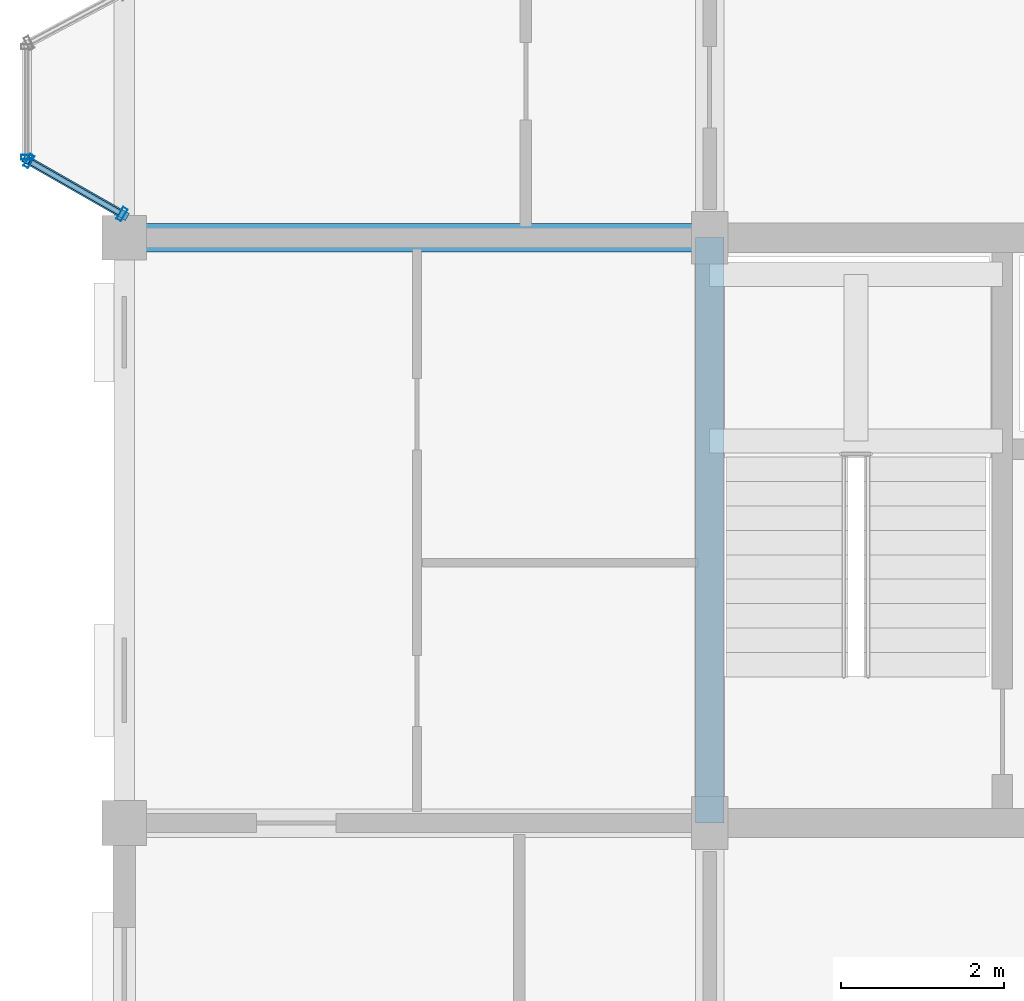
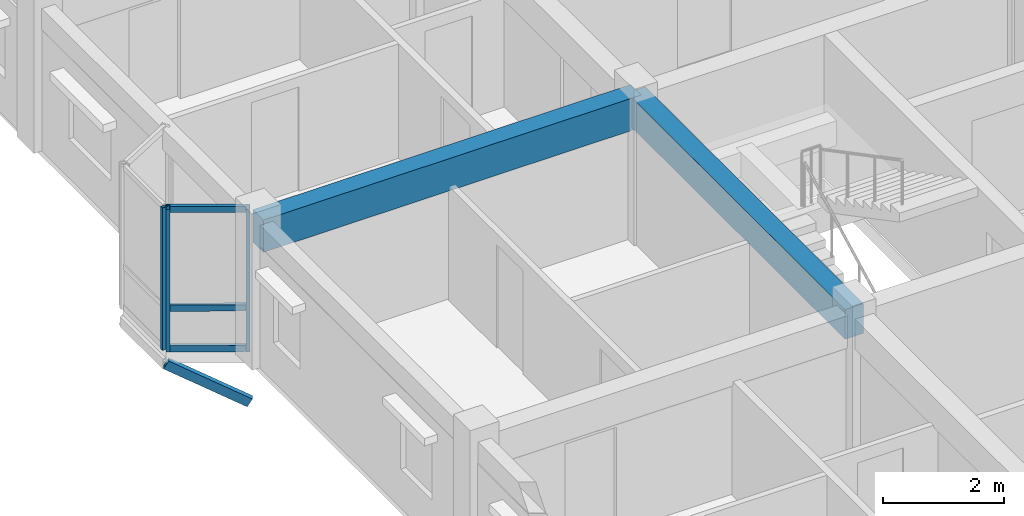
# One storey, part 4 of 79: 7 members, 2 beams, 2 elements without a shape of their own.
"""IFC4 building model written with IfcOpenShell, lengths in metres."""

from ifc_helpers import new_model, si_unit, direction, frame, origin, origin_2d, place, context, subcontext, project, spatial, rectangle, hollow_rectangle, extrude, material, layer, layer_set, material_profile, profile_set, type_object, element, aggregate, save


model = new_model("IFC4")

# Units and contexts
model_context = context("Model", 3, precision=1e-05, world=origin(), true_north=direction((0.0, 1.0)))
body_context = subcontext(model_context, "Body", "Model", "MODEL_VIEW")
ifc_project = project(units=[si_unit("LENGTHUNIT", "METRE"), si_unit("AREAUNIT", "SQUARE_METRE"), si_unit("VOLUMEUNIT", "CUBIC_METRE"), si_unit("PLANEANGLEUNIT", "RADIAN"), si_unit("MASSUNIT", "GRAM", prefix="KILO"), si_unit("THERMODYNAMICTEMPERATUREUNIT", "KELVIN"), si_unit("POWERUNIT", "WATT")], contexts=[model_context])

# Site, building, storey
site_placement = place(None, origin())
site = spatial("IfcSite", under=ifc_project, at=site_placement, CompositionType="ELEMENT")
building_placement = place(site_placement, origin())
building = spatial("IfcBuilding", under=site, at=building_placement, Name="Tavuni Mirador Residences", CompositionType="ELEMENT")
storey_placement = place(building_placement, frame((0.0, 0.0, 13.949951171875)))
storey = spatial("IfcBuildingStorey", under=building, at=storey_placement, Name="L04", CompositionType="ELEMENT", Elevation=13.949951171875)

# Beams
ifc_material_1 = material(Name="Precast concrete C40/50", Category="concrete")
ifc_material_profile_1 = material_profile(ifc_material_1, rectangle(XDim=0.35009765625, YDim=0.60009765625, at=origin_2d()), Name="PC 350x600", Category="concrete")
ifc_profile_set_1 = profile_set([ifc_material_profile_1], Name="Precast concrete C40/50")
beam_type_1 = type_object("IfcBeamType", Name="BT-B600", PredefinedType="BEAM", material=ifc_profile_set_1)
beam_1_placement = place(storey_placement, frame((10.800048828125, 14.39990234375, 2.570068359375), z_axis=(0.0, 1.0, 0.0), x_axis=(-1.0, 0.0, 0.0)))
element("IfcBeam", 1, at=beam_1_placement, inside=storey, type_object=beam_type_1, Name="BMY-BLK-A-L04-01-01", PredefinedType="BEAM", context=body_context, shape_type="SweptSolid", body=[
    extrude(rectangle(XDim=0.35009765625, YDim=0.60009765625, at=origin_2d()), origin(), (0.0, 0.0, 1.0), 7.2001953125),
])
ifc_material_profile_2 = material_profile(ifc_material_1, rectangle(XDim=0.35009765625, YDim=0.64990234375, at=origin_2d()), Name="PC 350x650", Category="concrete")
ifc_profile_set_2 = profile_set([ifc_material_profile_2], Name="Precast concrete C40/50")
beam_type_2 = type_object("IfcBeamType", Name="BT-B650", PredefinedType="BEAM", material=ifc_profile_set_2)
beam_2_placement = place(storey_placement, frame((3.60009765625, 21.60009765625, 2.545166015625), z_axis=(1.0, 0.0, 0.0), x_axis=(0.0, 1.0, 0.0)))
element("IfcBeam", 2, at=beam_2_placement, inside=storey, type_object=beam_type_2, Name="BMX-BLK-A-L04-00-02", PredefinedType="BEAM", context=body_context, shape_type="SweptSolid", body=[
    extrude(rectangle(XDim=0.35009765625, YDim=0.64990234375, at=origin_2d()), origin(), (0.0, 0.0, 1.0), 7.199951171875),
])

# Curtain wall, member
ifc_material_2 = material(Name="Anodised aluminium", Category="aluminium")
ifc_layer_1 = layer(ifc_material_2, 0.1650390625, Name="Anodised aluminium", Category="aluminium")
ifc_layer_set_1 = layer_set([ifc_layer_1], Name="Anodised aluminium")
curtain_wall_type_1 = type_object("IfcCurtainWallType", Name="CWT-MIR-A", PredefinedType="NOTDEFINED", material=ifc_layer_set_1)
curtain_wall_1_placement = place(storey_placement, origin())
curtain_wall_1 = element("IfcCurtainWall", 3, at=curtain_wall_1_placement, inside=storey, type_object=curtain_wall_type_1, Name="CW-MIR-A-W2-L04-MF", PredefinedType="NOTDEFINED")
ifc_material_profile_3 = material_profile(ifc_material_2, hollow_rectangle(XDim=0.06005859375, YDim=0.139892578125, WallThickness=0.00390625, at=origin_2d()), Name="ALU 60x140x4.0", Category="aluminium")
ifc_profile_set_3 = profile_set([ifc_material_profile_3], Name="Anodised aluminium")
member_type_1 = type_object("IfcMemberType", Name="CWM-140", PredefinedType="MULLION", material=ifc_profile_set_3)
member_1_placement = place(storey_placement, frame((2.39990234375, 22.590087890625, 0.0), z_axis=(0.0, 0.0, 1.0), x_axis=(0.0, -1.0, 0.0)))
member_1 = element("IfcMember", 4, at=member_1_placement, type_object=member_type_1, Name="CW-01 mullion 2", PredefinedType="MULLION", context=body_context, shape_type="SweptSolid", body=[
    extrude(hollow_rectangle(XDim=0.06005859375, YDim=0.139892578125, WallThickness=0.00390625, at=origin_2d()), origin(), (0.0, 0.0, 1.0), 2.8701171875),
])
aggregate(curtain_wall_1, [member_1])

# Curtain wall, members
ifc_layer_2 = layer(ifc_material_2, 0.14990234375, Name="Anodised aluminium", Category="aluminium")
ifc_layer_set_2 = layer_set([ifc_layer_2], Name="Anodised aluminium")
curtain_wall_type_2 = type_object("IfcCurtainWallType", Name="CWT-MIR-B", PredefinedType="NOTDEFINED", material=ifc_layer_set_2)
curtain_wall_2_placement = place(storey_placement, origin())
curtain_wall_2 = element("IfcCurtainWall", 5, at=curtain_wall_2_placement, inside=storey, type_object=curtain_wall_type_2, Name="CW-MIR-A-W2-L04-M2", PredefinedType="NOTDEFINED")
ifc_material_profile_4 = material_profile(ifc_material_2, hollow_rectangle(XDim=0.06494140625, YDim=0.1650390625, WallThickness=0.00439453125, at=origin_2d()), Name="ALU 65x165x4.5", Category="aluminium")
ifc_profile_set_4 = profile_set([ifc_material_profile_4], Name="Anodised aluminium")
member_type_2 = type_object("IfcMemberType", Name="CWM-165", PredefinedType="MULLION", material=ifc_profile_set_4)
member_2_placement = place(storey_placement, frame((2.42822265625, 22.5439453125, 0.0), z_axis=(0.0, 0.0, 1.0), x_axis=(0.868465738194, -0.495749192217, 0.0)))
member_2 = element("IfcMember", 6, at=member_2_placement, type_object=member_type_2, Name="CW-02 mullion 1", PredefinedType="MULLION", context=body_context, shape_type="SweptSolid", body=[
    extrude(hollow_rectangle(XDim=0.06494140625, YDim=0.1650390625, WallThickness=0.00439453125, at=origin_2d()), origin(), (0.0, 0.0, 1.0), 2.8701171875),
])
member_3_placement = place(storey_placement, frame((3.57177734375, 21.89111328125, 0.0), z_axis=(0.0, 0.0, 1.0), x_axis=(0.868465738194, -0.495749192217, 0.0)))
member_3 = element("IfcMember", 7, at=member_3_placement, type_object=member_type_2, Name="CW-02 mullion 2", PredefinedType="MULLION", context=body_context, shape_type="SweptSolid", body=[
    extrude(hollow_rectangle(XDim=0.06494140625, YDim=0.1650390625, WallThickness=0.00439453125, at=origin_2d()), origin(), (0.0, 0.0, 1.0), 2.8701171875),
])
ifc_material_profile_5 = material_profile(ifc_material_2, hollow_rectangle(XDim=0.06494140625, YDim=0.125, WallThickness=0.00439453125, at=origin_2d()), Name="ALU 65x125x4.5", Category="aluminium")
ifc_profile_set_5 = profile_set([ifc_material_profile_5], Name="Anodised aluminium")
member_type_3 = type_object("IfcMemberType", Name="CWT-125", PredefinedType="USERDEFINED", material=ifc_profile_set_5)
member_4_placement = place(storey_placement, frame((2.45654296875, 22.52783203125, 0.032470703125), z_axis=(0.868411144788, -0.495844818071, 0.0), x_axis=(0.495844818071, 0.868411144788, 0.0)))
member_4 = element("IfcMember", 8, at=member_4_placement, type_object=member_type_3, Name="CW-02 transom 1.1", ObjectType="TRANSOM", PredefinedType="USERDEFINED", context=body_context, shape_type="SweptSolid", body=[
    extrude(hollow_rectangle(XDim=0.06494140625, YDim=0.125, WallThickness=0.00439453125, at=origin_2d()), origin(), (0.0, 0.0, 1.0), 1.251708984375),
])
member_5_placement = place(storey_placement, frame((2.45654296875, 22.52783203125, 0.85009765625), z_axis=(0.868411144788, -0.495844818071, 0.0), x_axis=(0.495844818071, 0.868411144788, 0.0)))
member_5 = element("IfcMember", 9, at=member_5_placement, type_object=member_type_3, Name="CW-02 transom 1.2", ObjectType="TRANSOM", PredefinedType="USERDEFINED", context=body_context, shape_type="SweptSolid", body=[
    extrude(hollow_rectangle(XDim=0.06494140625, YDim=0.125, WallThickness=0.00439453125, at=origin_2d()), origin(), (0.0, 0.0, 1.0), 1.251708984375),
])
member_6_placement = place(storey_placement, frame((2.45654296875, 22.52783203125, 2.837646484375), z_axis=(0.868411144788, -0.495844818071, 0.0), x_axis=(0.495844818071, 0.868411144788, 0.0)))
member_6 = element("IfcMember", 10, at=member_6_placement, type_object=member_type_3, Name="CW-02 transom 1.3", ObjectType="TRANSOM", PredefinedType="USERDEFINED", context=body_context, shape_type="SweptSolid", body=[
    extrude(hollow_rectangle(XDim=0.06494140625, YDim=0.125, WallThickness=0.00439453125, at=origin_2d()), origin(), (0.0, 0.0, 1.0), 1.251708984375),
])
aggregate(curtain_wall_2, [member_2, member_3, member_4, member_5, member_6])

# Member
ifc_material_3 = material(Name="Structural steel S355", Category="steel")
ifc_material_profile_6 = material_profile(ifc_material_3, hollow_rectangle(XDim=0.10009765625, YDim=0.179931640625, WallThickness=0.008056640625, at=origin_2d()), Name="RHS 180x100x8.0", Category="steel")
ifc_profile_set_6 = profile_set([ifc_material_profile_6], Name="Structural steel S355")
member_type_4 = type_object("IfcMemberType", Name="MT-BR-RHS180", PredefinedType="BRACE", material=ifc_profile_set_6)
member_7_placement = place(storey_placement, frame((3.60009765625, 21.875, -1.050048828125), z_axis=(-0.758659970715, 0.433034962942, 0.486739940528), x_axis=(-0.495720321961, -0.868482217662, 0.0)))
element("IfcMember", 11, at=member_7_placement, inside=storey, type_object=member_type_4, Name="MBRK-MIR-A-W2-L04-1", PredefinedType="BRACE", context=body_context, shape_type="SweptSolid", body=[
    extrude(hollow_rectangle(XDim=0.10009765625, YDim=0.179931640625, WallThickness=0.008056640625, at=origin_2d()), origin(), (0.0, 0.0, 1.0), 1.58203125),
])

save(model, "model.ifc")
